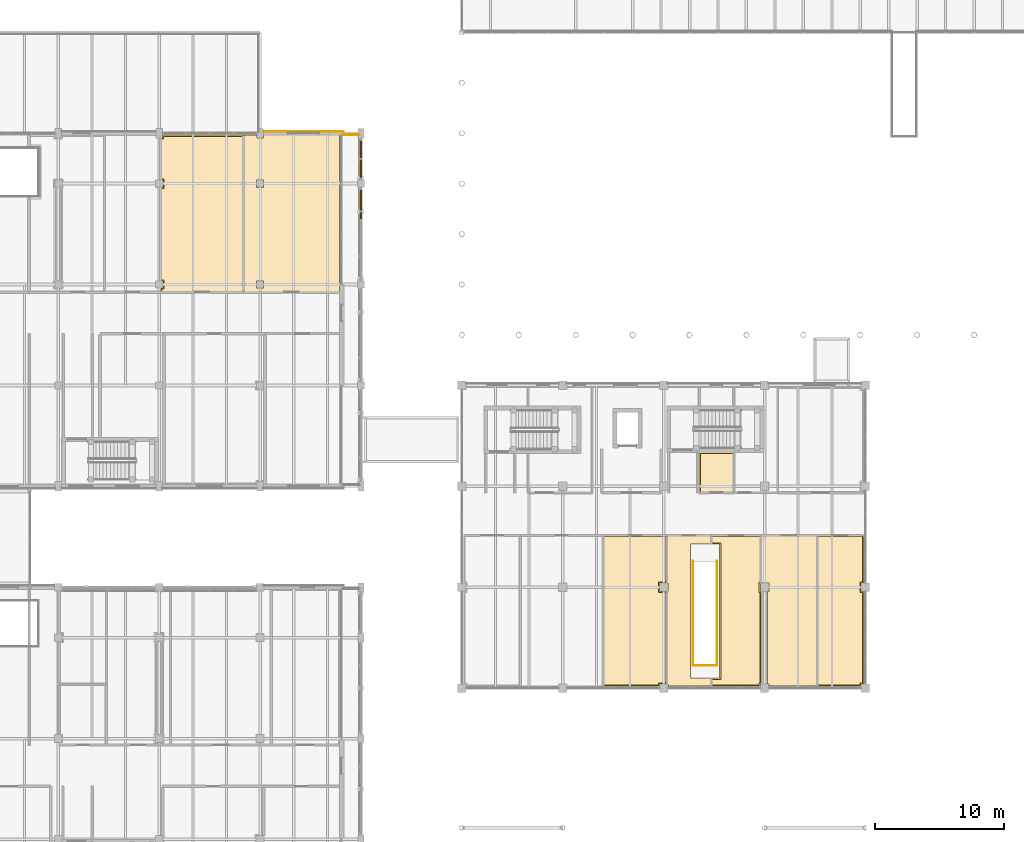
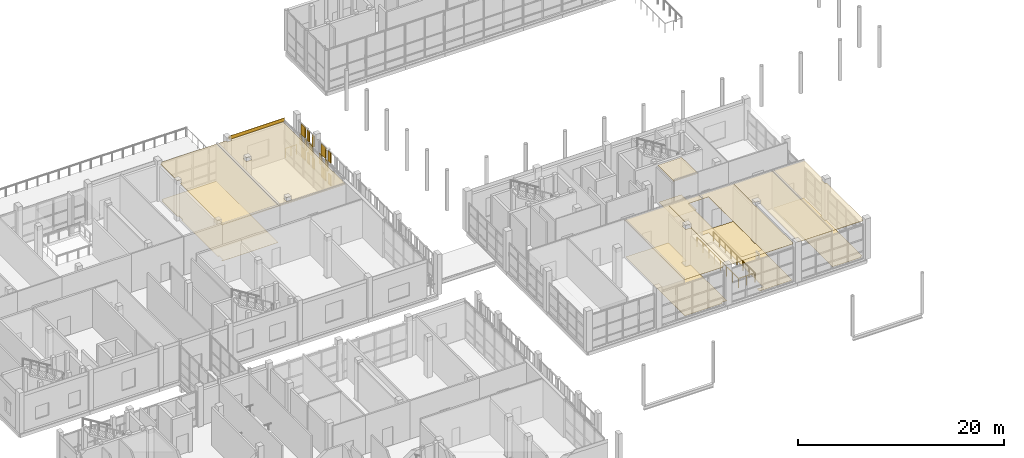
# One storey, part 125 of 138: 29 coverings, 4 railings.
"""IFC4 building model written with IfcOpenShell, lengths in metres."""

from ifc_helpers import new_model, si_unit, direction, frame, origin, origin_2d, place, context, subcontext, project, spatial, polyline, rectangle, circle, outline, extrude, material, layer, layer_set, type_object, element, save


model = new_model("IFC4")

# Units and contexts
model_context = context("Model", 3, precision=1e-05, world=origin(), true_north=direction((0.0, 1.0)))
body_context = subcontext(model_context, "Body", "Model", "MODEL_VIEW")
ifc_project = project(units=[si_unit("LENGTHUNIT", "METRE"), si_unit("AREAUNIT", "SQUARE_METRE"), si_unit("VOLUMEUNIT", "CUBIC_METRE"), si_unit("PLANEANGLEUNIT", "RADIAN"), si_unit("MASSUNIT", "GRAM", prefix="KILO")], contexts=[model_context])

# Site, building, storey
site_placement = place(None, origin())
site = spatial("IfcSite", under=ifc_project, at=site_placement, CompositionType="ELEMENT")
building_placement = place(site_placement, origin())
building = spatial("IfcBuilding", under=site, at=building_placement, Name="Celorna Specialist Clinic", CompositionType="ELEMENT")
storey_placement = place(building_placement, frame((0.0, 0.0, 4.800048828125)))
storey = spatial("IfcBuildingStorey", under=building, at=storey_placement, Name="L01", CompositionType="ELEMENT", Elevation=4.800048828125)

# Railings
ifc_material_1 = material(Name="Stainless steel and laminated glass balustrade", Category="steel")
railing_type = type_object("IfcRailingType", Name="BL-01", PredefinedType="BALUSTRADE", material=ifc_material_1)
railing_1_placement = place(storey_placement, frame((45.419921875, 62.280029296875, 0.0)))
element("IfcRailing", 1, at=railing_1_placement, inside=storey, type_object=railing_type, Name="Imaging Cloister Veranda perimeter balustrade 2", PredefinedType="BALUSTRADE", context=body_context, shape_type="SweptSolid", body=[
    extrude(circle(Radius=0.02392578125, at=origin_2d()), frame((0.0, 0.0, 1.09619140625), z_axis=(1.0, 0.0, 0.0), x_axis=(0.0, 1.0, 0.0)), (0.0, 0.0, 1.0), 1.260009765625),
    extrude(circle(Radius=0.02099609375, at=origin_2d()), origin(), (0.0, 0.0, 1.0), 1.072021484375),
    extrude(circle(Radius=0.02099609375, at=origin_2d()), frame((0.6298828125, 0.0, 0.0)), (0.0, 0.0, 1.0), 1.072021484375),
    extrude(circle(Radius=0.02099609375, at=origin_2d()), frame((1.260009765625, 0.0, 0.0)), (0.0, 0.0, 1.0), 1.072021484375),
])
railing_2_placement = place(storey_placement, frame((72.47998046875, 29.31494140625, 0.0)))
element("IfcRailing", 2, at=railing_2_placement, inside=storey, type_object=railing_type, Name="Feature stair ST-14 upper well balustrade 1", PredefinedType="BALUSTRADE", context=body_context, shape_type="SweptSolid", body=[
    extrude(circle(Radius=0.02392578125, at=origin_2d()), frame((0.0, 0.0, 1.09619140625), z_axis=(0.0, -1.0, 0.0), x_axis=(1.0, 0.0, 0.0)), (0.0, 0.0, 1.0), 8.054931640625),
    extrude(circle(Radius=0.02099609375, at=origin_2d()), origin(), (0.0, 0.0, 1.0), 1.072021484375),
    extrude(circle(Radius=0.02099609375, at=origin_2d()), frame((0.0, -1.150634765625, 0.0)), (0.0, 0.0, 1.0), 1.072021484375),
    extrude(circle(Radius=0.02099609375, at=origin_2d()), frame((0.0, -2.301513671875, 0.0)), (0.0, 0.0, 1.0), 1.072021484375),
    extrude(circle(Radius=0.02099609375, at=origin_2d()), frame((0.0, -3.4521484375, 0.0)), (0.0, 0.0, 1.0), 1.072021484375),
    extrude(circle(Radius=0.02099609375, at=origin_2d()), frame((0.0, -4.602783203125, 0.0)), (0.0, 0.0, 1.0), 1.072021484375),
    extrude(circle(Radius=0.02099609375, at=origin_2d()), frame((0.0, -5.75341796875, 0.0)), (0.0, 0.0, 1.0), 1.072021484375),
    extrude(circle(Radius=0.02099609375, at=origin_2d()), frame((0.0, -6.904296875, 0.0)), (0.0, 0.0, 1.0), 1.072021484375),
    extrude(circle(Radius=0.02099609375, at=origin_2d()), frame((0.0, -8.054931640625, 0.0)), (0.0, 0.0, 1.0), 1.072021484375),
])
railing_3_placement = place(storey_placement, frame((72.47998046875, 21.260009765625, 0.0)))
element("IfcRailing", 3, at=railing_3_placement, inside=storey, type_object=railing_type, Name="Feature stair ST-14 upper well balustrade 2", PredefinedType="BALUSTRADE", context=body_context, shape_type="SweptSolid", body=[
    extrude(circle(Radius=0.02392578125, at=origin_2d()), frame((0.0, 0.0, 1.09619140625), z_axis=(1.0, 0.0, 0.0), x_axis=(0.0, 1.0, 0.0)), (0.0, 0.0, 1.0), 1.840087890625),
    extrude(circle(Radius=0.02099609375, at=origin_2d()), origin(), (0.0, 0.0, 1.0), 1.072021484375),
    extrude(circle(Radius=0.02099609375, at=origin_2d()), frame((0.919921875, 0.0, 0.0)), (0.0, 0.0, 1.0), 1.072021484375),
    extrude(circle(Radius=0.02099609375, at=origin_2d()), frame((1.840087890625, 0.0, 0.0)), (0.0, 0.0, 1.0), 1.072021484375),
])
railing_4_placement = place(storey_placement, frame((74.320068359375, 21.260009765625, 0.0)))
element("IfcRailing", 4, at=railing_4_placement, inside=storey, type_object=railing_type, Name="Feature stair ST-14 upper well balustrade 3", PredefinedType="BALUSTRADE", context=body_context, shape_type="SweptSolid", body=[
    extrude(circle(Radius=0.02392578125, at=origin_2d()), frame((0.0, 0.0, 1.09619140625), z_axis=(0.0, 1.0, 0.0), x_axis=(-1.0, 0.0, 0.0)), (0.0, 0.0, 1.0), 8.054931640625),
    extrude(circle(Radius=0.02099609375, at=origin_2d()), origin(), (0.0, 0.0, 1.0), 1.072021484375),
    extrude(circle(Radius=0.02099609375, at=origin_2d()), frame((0.0, 1.150634765625, 0.0)), (0.0, 0.0, 1.0), 1.072021484375),
    extrude(circle(Radius=0.02099609375, at=origin_2d()), frame((0.0, 2.301513671875, 0.0)), (0.0, 0.0, 1.0), 1.072021484375),
    extrude(circle(Radius=0.02099609375, at=origin_2d()), frame((0.0, 3.4521484375, 0.0)), (0.0, 0.0, 1.0), 1.072021484375),
    extrude(circle(Radius=0.02099609375, at=origin_2d()), frame((0.0, 4.602783203125, 0.0)), (0.0, 0.0, 1.0), 1.072021484375),
    extrude(circle(Radius=0.02099609375, at=origin_2d()), frame((0.0, 5.75341796875, 0.0)), (0.0, 0.0, 1.0), 1.072021484375),
    extrude(circle(Radius=0.02099609375, at=origin_2d()), frame((0.0, 6.904296875, 0.0)), (0.0, 0.0, 1.0), 1.072021484375),
    extrude(circle(Radius=0.02099609375, at=origin_2d()), frame((0.0, 8.054931640625, 0.0)), (0.0, 0.0, 1.0), 1.072021484375),
])

# Coverings
ifc_material_2 = material(Name="Hygienic acoustic mineral-fibre ceiling")
ifc_layer_1 = layer(ifc_material_2, 0.030029296875, Name="Hygienic acoustic mineral-fibre ceiling")
ifc_layer_set_1 = layer_set([ifc_layer_1], Name="Hygienic acoustic mineral-fibre ceiling")
covering_type_1 = type_object("IfcCoveringType", Name="CE-01", PredefinedType="CEILING", material=ifc_layer_set_1)
covering_1_placement = place(storey_placement, frame((0.0, 0.0, 4.329833984375)))
element("IfcCovering", 5, at=covering_1_placement, inside=storey, type_object=covering_type_1, Name="Acoustic ceiling L01-035", PredefinedType="CEILING", context=body_context, shape_type="SweptSolid", body=[
    extrude(outline(polyline([(31.304931640625, 58.219970703125), (31.47998046875, 58.219970703125), (31.47998046875, 58.780029296875), (31.304931640625, 58.780029296875), (31.304931640625, 62.02001953125), (31.455078125, 62.02001953125), (31.455078125, 62.2451171875), (37.735107421875, 62.2451171875), (37.735107421875, 50.0849609375), (31.304931640625, 50.0849609375), (31.304931640625, 50.419921875), (31.47998046875, 50.419921875), (31.47998046875, 50.97998046875), (31.304931640625, 50.97998046875), (31.304931640625, 58.219970703125)])), origin(), (0.0, 0.0, 1.0), 0.030029296875),
])
covering_2_placement = place(storey_placement, frame((0.0, 0.0, 4.329833984375)))
element("IfcCovering", 6, at=covering_2_placement, inside=storey, type_object=covering_type_1, Name="Acoustic ceiling L01-036", PredefinedType="CEILING", context=body_context, shape_type="SweptSolid", body=[
    extrude(outline(polyline([(38.7451171875, 62.2451171875), (38.7451171875, 62.02001953125), (39.2548828125, 62.02001953125), (39.2548828125, 62.2451171875), (45.14501953125, 62.2451171875), (45.14501953125, 50.0849609375), (37.705078125, 50.0849609375), (37.705078125, 62.2451171875), (38.7451171875, 62.2451171875)]), holes=[polyline([(39.280029296875, 50.97998046875), (38.719970703125, 50.97998046875), (38.719970703125, 50.419921875), (39.280029296875, 50.419921875), (39.280029296875, 50.97998046875)]), polyline([(39.280029296875, 58.780029296875), (38.719970703125, 58.780029296875), (38.719970703125, 58.219970703125), (39.280029296875, 58.219970703125), (39.280029296875, 58.780029296875)])]), origin(), (0.0, 0.0, 1.0), 0.030029296875),
])
covering_3_placement = place(storey_placement, frame((0.0, 0.0, 4.329833984375)))
element("IfcCovering", 7, at=covering_3_placement, inside=storey, type_object=covering_type_1, Name="Acoustic ceiling L01-108", PredefinedType="CEILING", context=body_context, shape_type="SweptSolid", body=[
    extrude(outline(polyline([(70.485107421875, 31.31494140625), (70.485107421875, 27.6298828125), (69.8701171875, 27.6298828125), (69.8701171875, 26.969970703125), (70.485107421875, 26.969970703125), (70.485107421875, 19.830078125), (69.8701171875, 19.830078125), (69.8701171875, 19.655029296875), (65.5048828125, 19.655029296875), (65.5048828125, 31.31494140625), (70.485107421875, 31.31494140625)])), origin(), (0.0, 0.0, 1.0), 0.030029296875),
])
covering_4_placement = place(storey_placement, frame((0.0, 0.0, 4.329833984375)))
element("IfcCovering", 8, at=covering_4_placement, inside=storey, type_object=covering_type_1, Name="Acoustic ceiling L01-109", PredefinedType="CEILING", context=body_context, shape_type="SweptSolid", body=[
    extrude(outline(polyline([(70.455078125, 26.969970703125), (70.530029296875, 26.969970703125), (70.530029296875, 27.6298828125), (70.455078125, 27.6298828125), (70.455078125, 31.31494140625), (73.885009765625, 31.31494140625), (73.885009765625, 30.6298828125), (72.264892578125, 30.6298828125), (72.264892578125, 20.264892578125), (73.885009765625, 20.264892578125), (73.885009765625, 19.655029296875), (70.530029296875, 19.655029296875), (70.530029296875, 19.830078125), (70.455078125, 19.830078125), (70.455078125, 26.969970703125)])), origin(), (0.0, 0.0, 1.0), 0.030029296875),
])
covering_5_placement = place(storey_placement, frame((0.0, 0.0, 4.329833984375)))
element("IfcCovering", 9, at=covering_5_placement, inside=storey, type_object=covering_type_1, Name="Acoustic ceiling L01-110", PredefinedType="CEILING", context=body_context, shape_type="SweptSolid", body=[
    extrude(outline(polyline([(73.85498046875, 19.655029296875), (73.85498046875, 20.264892578125), (74.534912109375, 20.264892578125), (74.534912109375, 30.6298828125), (73.85498046875, 30.6298828125), (73.85498046875, 31.31494140625), (77.735107421875, 31.31494140625), (77.735107421875, 27.6298828125), (77.669921875, 27.6298828125), (77.669921875, 26.969970703125), (77.735107421875, 26.969970703125), (77.735107421875, 19.830078125), (77.669921875, 19.830078125), (77.669921875, 19.655029296875), (73.85498046875, 19.655029296875)])), origin(), (0.0, 0.0, 1.0), 0.030029296875),
])
covering_6_placement = place(storey_placement, frame((0.0, 0.0, 4.329833984375)))
element("IfcCovering", 10, at=covering_6_placement, inside=storey, type_object=covering_type_1, Name="Acoustic ceiling L01-111", PredefinedType="CEILING", context=body_context, shape_type="SweptSolid", body=[
    extrude(outline(polyline([(82.0849609375, 31.31494140625), (82.0849609375, 19.655029296875), (78.330078125, 19.655029296875), (78.330078125, 19.830078125), (78.235107421875, 19.830078125), (78.235107421875, 26.969970703125), (78.330078125, 26.969970703125), (78.330078125, 27.6298828125), (77.705078125, 27.6298828125), (77.705078125, 31.31494140625), (82.0849609375, 31.31494140625)])), origin(), (0.0, 0.0, 1.0), 0.030029296875),
])
covering_7_placement = place(storey_placement, frame((0.0, 0.0, 4.329833984375)))
element("IfcCovering", 11, at=covering_7_placement, inside=storey, type_object=covering_type_1, Name="Acoustic ceiling L01-112", PredefinedType="CEILING", context=body_context, shape_type="SweptSolid", body=[
    extrude(outline(polyline([(85.64501953125, 31.31494140625), (85.64501953125, 27.6298828125), (85.469970703125, 27.6298828125), (85.469970703125, 26.969970703125), (85.64501953125, 26.969970703125), (85.64501953125, 19.830078125), (85.469970703125, 19.830078125), (85.469970703125, 19.655029296875), (82.054931640625, 19.655029296875), (82.054931640625, 31.31494140625), (85.64501953125, 31.31494140625)])), origin(), (0.0, 0.0, 1.0), 0.030029296875),
])
covering_8_placement = place(storey_placement, frame((0.0, 0.0, 4.329833984375)))
element("IfcCovering", 12, at=covering_8_placement, inside=storey, type_object=covering_type_1, Name="Acoustic ceiling L01-114", PredefinedType="CEILING", context=body_context, shape_type="SweptSolid", body=[
    extrude(outline(polyline([(72.945068359375, 37.735107421875), (75.635009765625, 37.735107421875), (75.635009765625, 34.5849609375), (72.945068359375, 34.5849609375), (72.945068359375, 37.735107421875)])), origin(), (0.0, 0.0, 1.0), 0.030029296875),
])
ifc_material_3 = material(Name="Pero Pinheiro Lioz limestone rainscreen cladding", Category="masonry")
ifc_layer_2 = layer(ifc_material_3, 0.044921875, Name="Pero Pinheiro Lioz limestone rainscreen cladding")
ifc_layer_set_2 = layer_set([ifc_layer_2], Name="Pero Pinheiro Lioz limestone rainscreen cladding")
covering_type_2 = type_object("IfcCoveringType", Name="CL-01", PredefinedType="CLADDING", material=ifc_layer_set_2)
covering_9_placement = place(storey_placement, frame((42.360107421875, 62.547607421875, 4.139892578125), z_axis=(0.0, 0.0, 1.0), x_axis=(1.0, 0.0, 0.0)))
element("IfcCovering", 13, at=covering_9_placement, inside=storey, type_object=covering_type_2, Name="Lioz spandrel cladding #124", PredefinedType="CLADDING", context=body_context, shape_type="SweptSolid", body=[
    extrude(rectangle(XDim=6.219970703125, YDim=0.044921875, at=origin_2d()), origin(), (0.0, 0.0, 1.0), 0.39990234375),
])
ifc_material_4 = material(Name="Perforated terracotta brick weave cladding", Category="masonry")
ifc_layer_3 = layer(ifc_material_4, 0.114990234375, Name="Perforated terracotta brick weave cladding")
ifc_layer_set_3 = layer_set([ifc_layer_3], Name="Perforated terracotta brick weave cladding")
covering_type_3 = type_object("IfcCoveringType", Name="CL-02", PredefinedType="CLADDING", material=ifc_layer_set_3)
for number, where, z_axis, x_axis, name in (
    (14, (46.7900390625, 56.034912109375, 0.10009765625), (0.0, 0.0, 1.0), (0.0, 1.0, 0.0), "Woven perforated terracotta brick course #1302"),
    (15, (46.7900390625, 56.034912109375, 2.793212890625), (0.0, 0.0, 1.0), (0.0, 1.0, 0.0), "Woven perforated terracotta brick course #1305"),
):
    element("IfcCovering", number, at=place(storey_placement, frame(where, z_axis=z_axis, x_axis=x_axis)), inside=storey, type_object=covering_type_3, Name=name, PredefinedType="CLADDING", context=body_context, shape_type="SweptSolid", body=[
        extrude(rectangle(XDim=0.494873046875, YDim=0.114990234375, at=origin_2d()), origin(), (0.0, 0.0, 1.0), 1.24658203125),
    ])
covering_10_placement = place(storey_placement, frame((46.7900390625, 57.2138671875, 0.10009765625), z_axis=(0.0, 0.0, 1.0), x_axis=(0.0, 1.0, 0.0)))
element("IfcCovering", 16, at=covering_10_placement, inside=storey, type_object=covering_type_3, Name="Woven perforated terracotta brick course #1306", PredefinedType="CLADDING", context=body_context, shape_type="SweptSolid", body=[
    extrude(rectangle(XDim=0.876220703125, YDim=0.114990234375, at=origin_2d()), origin(), (0.0, 0.0, 1.0), 1.24658203125),
])
for number, where, z_axis, x_axis, name in (
    (17, (46.7900390625, 56.64990234375, 1.44677734375), (0.0, 0.0, 1.0), (0.0, 1.0, 0.0), "Woven perforated terracotta brick course #1307"),
    (18, (46.7900390625, 57.777587890625, 1.44677734375), (0.0, 0.0, 1.0), (0.0, 1.0, 0.0), "Woven perforated terracotta brick course #1308"),
):
    element("IfcCovering", number, at=place(storey_placement, frame(where, z_axis=z_axis, x_axis=x_axis)), inside=storey, type_object=covering_type_3, Name=name, PredefinedType="CLADDING", context=body_context, shape_type="SweptSolid", body=[
        extrude(rectangle(XDim=0.494873046875, YDim=0.114990234375, at=origin_2d()), origin(), (0.0, 0.0, 1.0), 1.24658203125),
    ])
covering_11_placement = place(storey_placement, frame((46.7900390625, 57.2138671875, 2.793212890625), z_axis=(0.0, 0.0, 1.0), x_axis=(0.0, 1.0, 0.0)))
element("IfcCovering", 19, at=covering_11_placement, inside=storey, type_object=covering_type_3, Name="Woven perforated terracotta brick course #1309", PredefinedType="CLADDING", context=body_context, shape_type="SweptSolid", body=[
    extrude(rectangle(XDim=0.876220703125, YDim=0.114990234375, at=origin_2d()), origin(), (0.0, 0.0, 1.0), 1.24658203125),
])
for number, where, z_axis, x_axis, name in (
    (20, (46.7900390625, 59.18310546875, 0.10009765625), (0.0, 0.0, 1.0), (0.0, 1.0, 0.0), "Woven perforated terracotta brick course #1310"),
    (21, (46.7900390625, 60.1318359375, 0.10009765625), (0.0, 0.0, 1.0), (0.0, 1.0, 0.0), "Woven perforated terracotta brick course #1311"),
):
    element("IfcCovering", number, at=place(storey_placement, frame(where, z_axis=z_axis, x_axis=x_axis)), inside=storey, type_object=covering_type_3, Name=name, PredefinedType="CLADDING", context=body_context, shape_type="SweptSolid", body=[
        extrude(rectangle(XDim=0.416259765625, YDim=0.114990234375, at=origin_2d()), origin(), (0.0, 0.0, 1.0), 1.24658203125),
    ])
covering_12_placement = place(storey_placement, frame((46.7900390625, 59.657470703125, 1.44677734375), z_axis=(0.0, 0.0, 1.0), x_axis=(0.0, 1.0, 0.0)))
element("IfcCovering", 22, at=covering_12_placement, inside=storey, type_object=covering_type_3, Name="Woven perforated terracotta brick course #1312", PredefinedType="CLADDING", context=body_context, shape_type="SweptSolid", body=[
    extrude(rectangle(XDim=0.737060546875, YDim=0.114990234375, at=origin_2d()), origin(), (0.0, 0.0, 1.0), 1.24658203125),
])
for number, where, z_axis, x_axis, name in (
    (23, (46.7900390625, 59.18310546875, 2.793212890625), (0.0, 0.0, 1.0), (0.0, 1.0, 0.0), "Woven perforated terracotta brick course #1313"),
    (24, (46.7900390625, 60.1318359375, 2.793212890625), (0.0, 0.0, 1.0), (0.0, 1.0, 0.0), "Woven perforated terracotta brick course #1314"),
):
    element("IfcCovering", number, at=place(storey_placement, frame(where, z_axis=z_axis, x_axis=x_axis)), inside=storey, type_object=covering_type_3, Name=name, PredefinedType="CLADDING", context=body_context, shape_type="SweptSolid", body=[
        extrude(rectangle(XDim=0.416259765625, YDim=0.114990234375, at=origin_2d()), origin(), (0.0, 0.0, 1.0), 1.24658203125),
    ])
covering_13_placement = place(storey_placement, frame((46.7900390625, 61.142578125, 0.10009765625), z_axis=(0.0, 0.0, 1.0), x_axis=(0.0, 1.0, 0.0)))
element("IfcCovering", 25, at=covering_13_placement, inside=storey, type_object=covering_type_3, Name="Woven perforated terracotta brick course #1315", PredefinedType="CLADDING", context=body_context, shape_type="SweptSolid", body=[
    extrude(rectangle(XDim=0.737060546875, YDim=0.114990234375, at=origin_2d()), origin(), (0.0, 0.0, 1.0), 1.24658203125),
])
for number, where, z_axis, x_axis, name in (
    (26, (46.7900390625, 60.668212890625, 1.44677734375), (0.0, 0.0, 1.0), (0.0, 1.0, 0.0), "Woven perforated terracotta brick course #1316"),
    (27, (46.7900390625, 61.61669921875, 1.44677734375), (0.0, 0.0, 1.0), (0.0, 1.0, 0.0), "Woven perforated terracotta brick course #1317"),
):
    element("IfcCovering", number, at=place(storey_placement, frame(where, z_axis=z_axis, x_axis=x_axis)), inside=storey, type_object=covering_type_3, Name=name, PredefinedType="CLADDING", context=body_context, shape_type="SweptSolid", body=[
        extrude(rectangle(XDim=0.416259765625, YDim=0.114990234375, at=origin_2d()), origin(), (0.0, 0.0, 1.0), 1.24658203125),
    ])
covering_14_placement = place(storey_placement, frame((46.7900390625, 61.142578125, 2.793212890625), z_axis=(0.0, 0.0, 1.0), x_axis=(0.0, 1.0, 0.0)))
element("IfcCovering", 28, at=covering_14_placement, inside=storey, type_object=covering_type_3, Name="Woven perforated terracotta brick course #1318", PredefinedType="CLADDING", context=body_context, shape_type="SweptSolid", body=[
    extrude(rectangle(XDim=0.737060546875, YDim=0.114990234375, at=origin_2d()), origin(), (0.0, 0.0, 1.0), 1.24658203125),
])
ifc_material_5 = material(Name="Seamless antimicrobial clinical vinyl and Lioz terrazzo flooring")
ifc_layer_4 = layer(ifc_material_5, 0.02001953125, Name="Seamless antimicrobial clinical vinyl and Lioz terrazzo flooring")
ifc_layer_set_4 = layer_set([ifc_layer_4], Name="Seamless antimicrobial clinical vinyl and Lioz terrazzo flooring")
covering_type_4 = type_object("IfcCoveringType", Name="FL-01", PredefinedType="FLOORING", material=ifc_layer_set_4)
covering_15_placement = place(storey_placement, origin())
element("IfcCovering", 29, at=covering_15_placement, inside=storey, type_object=covering_type_4, Name="Antimicrobial clinical flooring L01-035", PredefinedType="FLOORING", context=body_context, shape_type="SweptSolid", body=[
    extrude(outline(polyline([(31.39501953125, 50.340087890625), (31.56005859375, 50.340087890625), (31.56005859375, 51.06005859375), (31.39501953125, 51.06005859375), (31.39501953125, 58.139892578125), (31.56005859375, 58.139892578125), (31.56005859375, 58.860107421875), (31.39501953125, 58.860107421875), (31.39501953125, 61.93994140625), (31.534912109375, 61.93994140625), (31.534912109375, 62.155029296875), (37.64501953125, 62.155029296875), (37.64501953125, 50.175048828125), (31.39501953125, 50.175048828125), (31.39501953125, 50.340087890625)])), origin(), (0.0, 0.0, 1.0), 0.02001953125),
])
covering_16_placement = place(storey_placement, origin())
element("IfcCovering", 30, at=covering_16_placement, inside=storey, type_object=covering_type_4, Name="Antimicrobial clinical flooring L01-108", PredefinedType="FLOORING", context=body_context, shape_type="SweptSolid", body=[
    extrude(outline(polyline([(65.594970703125, 31.22509765625), (70.39501953125, 31.22509765625), (70.39501953125, 27.7099609375), (69.7900390625, 27.7099609375), (69.7900390625, 26.889892578125), (70.39501953125, 26.889892578125), (70.39501953125, 19.909912109375), (69.7900390625, 19.909912109375), (69.7900390625, 19.7451171875), (65.594970703125, 19.7451171875), (65.594970703125, 31.22509765625)])), origin(), (0.0, 0.0, 1.0), 0.02001953125),
])
covering_17_placement = place(storey_placement, origin())
element("IfcCovering", 31, at=covering_17_placement, inside=storey, type_object=covering_type_4, Name="Antimicrobial clinical flooring L01-110", PredefinedType="FLOORING", context=body_context, shape_type="SweptSolid", body=[
    extrude(outline(polyline([(77.64501953125, 19.909912109375), (77.590087890625, 19.909912109375), (77.590087890625, 19.7451171875), (73.945068359375, 19.7451171875), (73.945068359375, 20.175048828125), (74.625, 20.175048828125), (74.625, 30.719970703125), (73.945068359375, 30.719970703125), (73.945068359375, 31.22509765625), (77.64501953125, 31.22509765625), (77.64501953125, 27.7099609375), (77.590087890625, 27.7099609375), (77.590087890625, 26.889892578125), (77.64501953125, 26.889892578125), (77.64501953125, 19.909912109375)])), origin(), (0.0, 0.0, 1.0), 0.02001953125),
])
covering_18_placement = place(storey_placement, origin())
element("IfcCovering", 32, at=covering_18_placement, inside=storey, type_object=covering_type_4, Name="Antimicrobial clinical flooring L01-112", PredefinedType="FLOORING", context=body_context, shape_type="SweptSolid", body=[
    extrude(outline(polyline([(82.14501953125, 31.22509765625), (85.554931640625, 31.22509765625), (85.554931640625, 27.7099609375), (85.389892578125, 27.7099609375), (85.389892578125, 26.889892578125), (85.554931640625, 26.889892578125), (85.554931640625, 19.909912109375), (85.389892578125, 19.909912109375), (85.389892578125, 19.7451171875), (82.14501953125, 19.7451171875), (82.14501953125, 31.22509765625)])), origin(), (0.0, 0.0, 1.0), 0.02001953125),
])
covering_19_placement = place(storey_placement, origin())
element("IfcCovering", 33, at=covering_19_placement, inside=storey, type_object=covering_type_4, Name="Antimicrobial clinical flooring L01-114", PredefinedType="FLOORING", context=body_context, shape_type="SweptSolid", body=[
    extrude(outline(polyline([(73.034912109375, 34.675048828125), (73.034912109375, 37.64501953125), (75.544921875, 37.64501953125), (75.544921875, 34.675048828125), (73.034912109375, 34.675048828125)])), origin(), (0.0, 0.0, 1.0), 0.02001953125),
])

save(model, "model.ifc")
